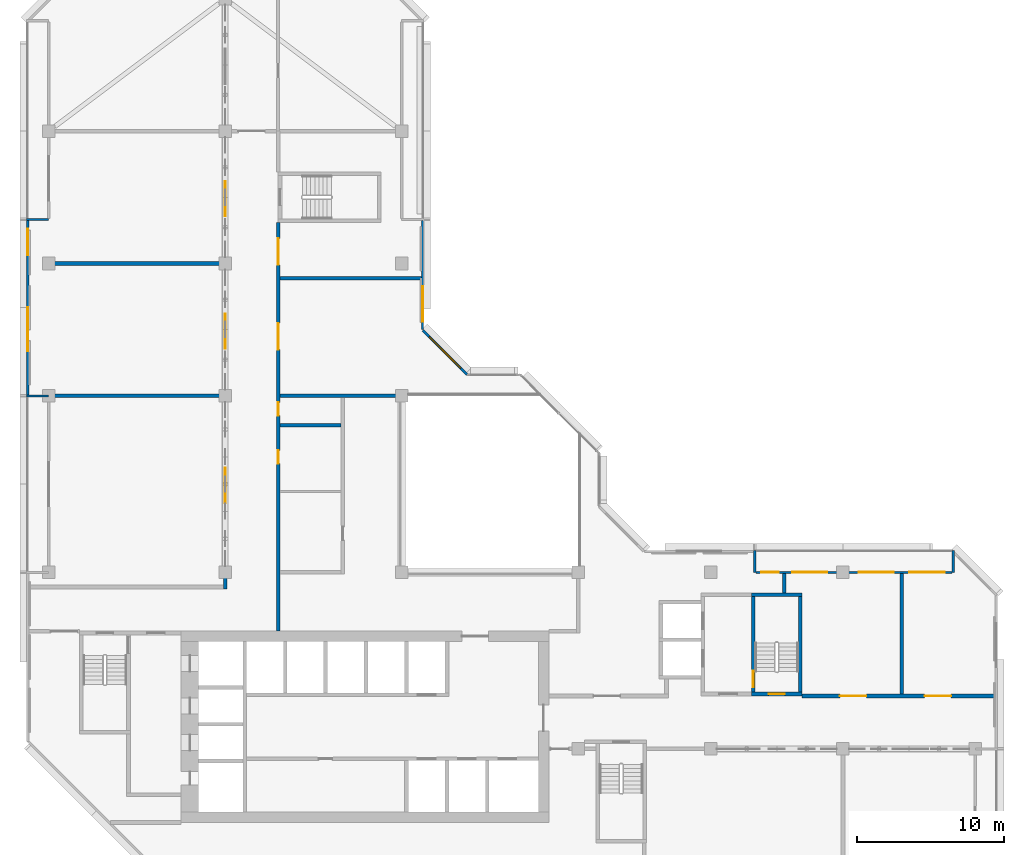
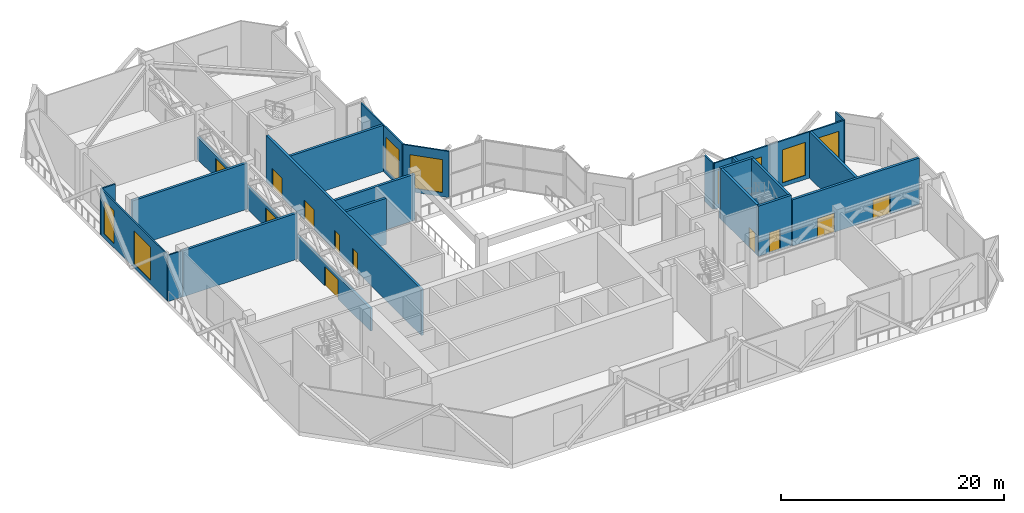
# One storey, part 8 of 14: 22 walls, 11 doors, 8 windows, 19 openings.
"""IFC4 building model written with IfcOpenShell, lengths in metres."""

from ifc_helpers import new_model, si_unit, direction, frame, frame_2d, origin, place, context, subcontext, project, spatial, rectangle, extrude, material, layer, layer_set, type_object, element, fill, save


model = new_model("IFC4")

# Units and contexts
model_context = context("Model", 3, precision=1e-05, world=origin(), true_north=direction((0.0, 1.0)))
body_context = subcontext(model_context, "Body", "Model", "MODEL_VIEW")
ifc_project = project(units=[si_unit("LENGTHUNIT", "METRE"), si_unit("AREAUNIT", "SQUARE_METRE"), si_unit("VOLUMEUNIT", "CUBIC_METRE"), si_unit("PLANEANGLEUNIT", "RADIAN"), si_unit("MASSUNIT", "GRAM", prefix="KILO")], contexts=[model_context])

# Site, building, storey
site_placement = place(None, origin())
site = spatial("IfcSite", under=ifc_project, at=site_placement, CompositionType="ELEMENT")
building_placement = place(site_placement, origin())
building = spatial("IfcBuilding", under=site, at=building_placement, Name="Chenar Terraces", CompositionType="ELEMENT")
storey_placement = place(building_placement, frame((0.0, 0.0, 256.64990234375)))
storey = spatial("IfcBuildingStorey", under=building, at=storey_placement, Name="L61", CompositionType="ELEMENT", Elevation=256.64990234375)

# Wall, opening, door
ifc_material_1 = material(Name="Concrete C60/75", Category="concrete")
ifc_layer_1 = layer(ifc_material_1, 0.25)
ifc_layer_set_1 = layer_set([ifc_layer_1], Name="Concrete C60/75")
wall_type_1 = type_object("IfcWallType", Name="Core wall 250 Concrete C60/75", PredefinedType="SHEAR", material=ifc_layer_set_1)
wall_1_placement = place(storey_placement, frame((47.77490234375, 15.72509765625, 0.0), z_axis=(0.0, 0.0, 1.0), x_axis=(1.0, 0.0, 0.0)))
wall_1 = element("IfcWall", 1, at=wall_1_placement, inside=storey, type_object=wall_type_1, Name="Core wall ST3_S L61", PredefinedType="SHEAR", context=body_context, shape_type="SweptSolid", body=[
    extrude(rectangle(XDim=3.4501953125, YDim=0.25, at=frame_2d((1.72509765625, 0.0))), origin(), (0.0, 0.0, 1.0), 5.5),
])
opening_1_placement = place(wall_1_placement, frame((1.175048828125, 0.0, 0.0)))
opening_1 = element("IfcOpeningElement", 2, at=opening_1_placement, cuts=wall_1, Name="Opening DL61-C8", PredefinedType="OPENING", context=body_context, shape_type="SweptSolid", body=[
    extrude(rectangle(XDim=1.10009765625, YDim=2.199951171875, at=frame_2d((0.550048828125, 1.10009765625))), frame((0.0, 0.135009765625, 0.0), z_axis=(0.0, -1.0, 0.0), x_axis=(1.0, 0.0, 0.0)), (0.0, 0.0, 1.0), 0.27001953125),
])
ifc_material_2 = material(Name="Steel-framed fire-resisting door leaf", Category="steel")
door_type_1 = type_object("IfcDoorType", Name="Stair fire door FD60 1100 x 2200", OperationType="SINGLE_SWING_LEFT", PredefinedType="DOOR", material=ifc_material_2)
door_1_placement = place(opening_1_placement, frame((1.10009765625, 0.0, 0.0), z_axis=(0.0, 0.0, 1.0), x_axis=(-1.0, 0.0, 0.0)))
door_1 = element("IfcDoor", 3, at=door_1_placement, inside=storey, type_object=door_type_1, Name="Stair door DL61-C8", OperationType="SINGLE_SWING_LEFT", OverallHeight=2.199951171875, OverallWidth=1.10009765625, PredefinedType="DOOR", context=body_context, shape_type="SweptSolid", body=[
    extrude(rectangle(XDim=1.10009765625, YDim=2.199951171875, at=frame_2d((0.550048828125, 1.10009765625))), frame((0.0, 0.02490234375, 0.0), z_axis=(0.0, -1.0, 0.0), x_axis=(1.0, 0.0, 0.0)), (0.0, 0.0, 1.0), 0.050048828125),
])
fill(opening_1, door_1)

# Wall
wall_2_placement = place(storey_placement, frame((47.77490234375, 22.47509765625, 0.0), z_axis=(0.0, 0.0, 1.0), x_axis=(1.0, 0.0, 0.0)))
element("IfcWall", 4, at=wall_2_placement, inside=storey, type_object=wall_type_1, Name="Core wall ST3_N L61", PredefinedType="SHEAR", context=body_context, shape_type="SweptSolid", body=[
    extrude(rectangle(XDim=3.4501953125, YDim=0.25, at=frame_2d((1.72509765625, 0.0))), origin(), (0.0, 0.0, 1.0), 5.5),
])

# Wall, opening, door
wall_3_placement = place(storey_placement, frame((47.89990234375, 15.85009765625, 0.0), z_axis=(0.0, 0.0, 1.0), x_axis=(0.0, 1.0, 0.0)))
wall_3 = element("IfcWall", 5, at=wall_3_placement, inside=storey, type_object=wall_type_1, Name="Core wall ST3_W L61", PredefinedType="SHEAR", context=body_context, shape_type="SweptSolid", body=[
    extrude(rectangle(XDim=6.5, YDim=0.25, at=frame_2d((3.25, 0.0))), origin(), (0.0, 0.0, 1.0), 5.5),
])
opening_2_placement = place(wall_3_placement, frame((0.35009765625, 0.0, 0.0)))
opening_2 = element("IfcOpeningElement", 6, at=opening_2_placement, cuts=wall_3, Name="Opening DL61-C11", PredefinedType="OPENING", context=body_context, shape_type="SweptSolid", body=[
    extrude(rectangle(XDim=1.10009765625, YDim=2.199951171875, at=frame_2d((0.550048828125, 1.10009765625))), frame((0.0, 0.135009765625, 0.0), z_axis=(0.0, -1.0, 0.0), x_axis=(1.0, 0.0, 0.0)), (0.0, 0.0, 1.0), 0.27001953125),
])
door_2_placement = place(opening_2_placement, frame((1.10009765625, 0.0, 0.0), z_axis=(0.0, 0.0, 1.0), x_axis=(-1.0, 0.0, 0.0)))
door_2 = element("IfcDoor", 7, at=door_2_placement, inside=storey, type_object=door_type_1, Name="Stair door DL61-C11", OperationType="SINGLE_SWING_RIGHT", OverallHeight=2.199951171875, OverallWidth=1.10009765625, PredefinedType="DOOR", context=body_context, shape_type="SweptSolid", body=[
    extrude(rectangle(XDim=1.10009765625, YDim=2.199951171875, at=frame_2d((0.550048828125, 1.10009765625))), frame((0.0, 0.02490234375, 0.0), z_axis=(0.0, -1.0, 0.0), x_axis=(1.0, 0.0, 0.0)), (0.0, 0.0, 1.0), 0.050048828125),
])
fill(opening_2, door_2)

# Wall
wall_4_placement = place(storey_placement, frame((51.10009765625, 15.85009765625, 0.0), z_axis=(0.0, 0.0, 1.0), x_axis=(0.0, 1.0, 0.0)))
element("IfcWall", 8, at=wall_4_placement, inside=storey, type_object=wall_type_1, Name="Core wall ST3_E L61", PredefinedType="SHEAR", context=body_context, shape_type="SweptSolid", body=[
    extrude(rectangle(XDim=6.5, YDim=0.25, at=frame_2d((3.25, 0.0))), origin(), (0.0, 0.0, 1.0), 5.5),
])

# Wall, opening, window
ifc_material_3 = material(Name="Aluminium framed glazing", Category="aluminium")
ifc_layer_2 = layer(ifc_material_3, 0.14990234375)
ifc_layer_set_2 = layer_set([ifc_layer_2], Name="Aluminium framed glazing")
wall_type_2 = type_object("IfcWallType", Name="Glazed flush facade wall 150", PredefinedType="SOLIDWALL", material=ifc_layer_set_2)
wall_5_placement = place(storey_placement, frame((25.425048828125, 40.5, 0.0), z_axis=(0.0, 0.0, 1.0), x_axis=(0.0, 1.0, 0.0)))
wall_5 = element("IfcWall", 9, at=wall_5_placement, inside=storey, type_object=wall_type_2, Name="Glazed flush facade wall", PredefinedType="SOLIDWALL", context=body_context, shape_type="SweptSolid", body=[
    extrude(rectangle(XDim=7.425048828125, YDim=0.14990234375, at=frame_2d((3.71240234375, 0.0))), origin(), (0.0, 0.0, 1.0), 5.050048828125),
])
opening_3_placement = place(wall_5_placement, frame((0.550048828125, 0.0, 0.449951171875)))
opening_3 = element("IfcOpeningElement", 10, at=opening_3_placement, cuts=wall_5, Name="Opening W240x360", PredefinedType="OPENING", context=body_context, shape_type="SweptSolid", body=[
    extrude(rectangle(XDim=2.39990234375, YDim=3.60009765625, at=frame_2d((1.199951171875, 1.800048828125))), frame((0.0, 0.0849609375, 0.0), z_axis=(0.0, -1.0, 0.0), x_axis=(1.0, 0.0, 0.0)), (0.0, 0.0, 1.0), 0.169921875),
])
ifc_material_4 = material(Name="Low emissivity double glazing, aluminium frame", Category="aluminium")
window_type_1 = type_object("IfcWindowType", Name="Fixed light 2400 x 3600", PartitioningType="SINGLE_PANEL", PredefinedType="WINDOW", material=ifc_material_4)
window_1_placement = place(opening_3_placement, origin())
window_1 = element("IfcWindow", 11, at=window_1_placement, inside=storey, type_object=window_type_1, Name="Window", OverallHeight=3.60009765625, OverallWidth=2.39990234375, PartitioningType="SINGLE_PANEL", PredefinedType="WINDOW", context=body_context, shape_type="SweptSolid", body=[
    extrude(rectangle(XDim=2.39990234375, YDim=3.60009765625, at=frame_2d((1.199951171875, 1.800048828125))), frame((0.0, 0.030029296875, 0.0), z_axis=(0.0, -1.0, 0.0), x_axis=(1.0, 0.0, 0.0)), (0.0, 0.0, 1.0), 0.06005859375),
])
fill(opening_3, window_1)

# Wall, openings, windows
wall_6_placement = place(storey_placement, frame((-1.425048828125, 47.925048828125, 0.0), z_axis=(0.0, 0.0, 1.0), x_axis=(0.0, -1.0, 0.0)))
wall_6 = element("IfcWall", 12, at=wall_6_placement, inside=storey, type_object=wall_type_2, Name="Glazed flush facade wall", PredefinedType="SOLIDWALL", context=body_context, shape_type="SweptSolid", body=[
    extrude(rectangle(XDim=11.85009765625, YDim=0.14990234375, at=frame_2d((5.925048828125, 0.0))), origin(), (0.0, 0.0, 1.0), 5.050048828125),
])
opening_4_placement = place(wall_6_placement, frame((0.5625, 0.0, 0.449951171875)))
opening_4 = element("IfcOpeningElement", 13, at=opening_4_placement, cuts=wall_6, Name="Opening W180x360", PredefinedType="OPENING", context=body_context, shape_type="SweptSolid", body=[
    extrude(rectangle(XDim=1.800048828125, YDim=3.60009765625, at=frame_2d((0.89990234375, 1.800048828125))), frame((0.0, 0.0849609375, 0.0), z_axis=(0.0, -1.0, 0.0), x_axis=(1.0, 0.0, 0.0)), (0.0, 0.0, 1.0), 0.169921875),
])
opening_5_placement = place(wall_6_placement, frame((5.887451171875, 0.0, 0.449951171875)))
opening_5 = element("IfcOpeningElement", 14, at=opening_5_placement, cuts=wall_6, Name="Opening W300x360", PredefinedType="OPENING", context=body_context, shape_type="SweptSolid", body=[
    extrude(rectangle(XDim=3.0, YDim=3.60009765625, at=frame_2d((1.5, 1.800048828125))), frame((0.0, 0.0849609375, 0.0), z_axis=(0.0, -1.0, 0.0), x_axis=(1.0, 0.0, 0.0)), (0.0, 0.0, 1.0), 0.169921875),
])
ifc_material_5 = material(Name="Low emissivity double glazing, aluminium frame", Category="aluminium")
window_type_2 = type_object("IfcWindowType", Name="Fixed light 1800 x 3600", PartitioningType="SINGLE_PANEL", PredefinedType="WINDOW", material=ifc_material_5)
window_2_placement = place(opening_4_placement, origin())
window_2 = element("IfcWindow", 15, at=window_2_placement, inside=storey, type_object=window_type_2, Name="Window", OverallHeight=3.60009765625, OverallWidth=1.800048828125, PartitioningType="SINGLE_PANEL", PredefinedType="WINDOW", context=body_context, shape_type="SweptSolid", body=[
    extrude(rectangle(XDim=1.800048828125, YDim=3.60009765625, at=frame_2d((0.89990234375, 1.800048828125))), frame((0.0, 0.030029296875, 0.0), z_axis=(0.0, -1.0, 0.0), x_axis=(1.0, 0.0, 0.0)), (0.0, 0.0, 1.0), 0.06005859375),
])
fill(opening_4, window_2)
ifc_material_6 = material(Name="Low emissivity double glazing, aluminium frame", Category="aluminium")
window_type_3 = type_object("IfcWindowType", Name="Fixed light 3000 x 3600", PartitioningType="SINGLE_PANEL", PredefinedType="WINDOW", material=ifc_material_6)
window_3_placement = place(opening_5_placement, origin())
window_3 = element("IfcWindow", 16, at=window_3_placement, inside=storey, type_object=window_type_3, Name="Window", OverallHeight=3.60009765625, OverallWidth=3.0, PartitioningType="SINGLE_PANEL", PredefinedType="WINDOW", context=body_context, shape_type="SweptSolid", body=[
    extrude(rectangle(XDim=3.0, YDim=3.60009765625, at=frame_2d((1.5, 1.800048828125))), frame((0.0, 0.030029296875, 0.0), z_axis=(0.0, -1.0, 0.0), x_axis=(1.0, 0.0, 0.0)), (0.0, 0.0, 1.0), 0.06005859375),
])
fill(opening_5, window_3)

ifc_material_7 = material(Name="Aluminium framed glazing", Category="aluminium")
ifc_layer_3 = layer(ifc_material_7, 0.14990234375)
ifc_layer_set_3 = layer_set([ifc_layer_3], Name="Aluminium framed glazing")
wall_type_3 = type_object("IfcWallType", Name="Glazed loggia back wall 150", PredefinedType="SOLIDWALL", material=ifc_layer_set_3)
wall_7_placement = place(storey_placement, frame((61.425048828125, 24.0, 0.0), z_axis=(0.0, 0.0, 1.0), x_axis=(-1.0, 0.0, 0.0)))
wall_7 = element("IfcWall", 17, at=wall_7_placement, inside=storey, type_object=wall_type_3, Name="Glazed loggia back wall", PredefinedType="SOLIDWALL", context=body_context, shape_type="SweptSolid", body=[
    extrude(rectangle(XDim=13.35009765625, YDim=0.14990234375, at=frame_2d((6.675048828125, 0.0))), origin(), (0.0, 0.0, 1.0), 5.050048828125),
])
opening_6_placement = place(wall_7_placement, frame((0.512451171875, 0.0, 0.449951171875)))
opening_6 = element("IfcOpeningElement", 18, at=opening_6_placement, cuts=wall_7, Name="Opening W240x360", PredefinedType="OPENING", context=body_context, shape_type="SweptSolid", body=[
    extrude(rectangle(XDim=2.39990234375, YDim=3.60009765625, at=frame_2d((1.199951171875, 1.800048828125))), frame((0.0, 0.0849609375, 0.0), z_axis=(0.0, -1.0, 0.0), x_axis=(1.0, 0.0, 0.0)), (0.0, 0.0, 1.0), 0.169921875),
])
opening_7_placement = place(wall_7_placement, frame((3.96240234375, 0.0, 0.449951171875)))
opening_7 = element("IfcOpeningElement", 19, at=opening_7_placement, cuts=wall_7, Name="Opening W240x360", PredefinedType="OPENING", context=body_context, shape_type="SweptSolid", body=[
    extrude(rectangle(XDim=2.39990234375, YDim=3.60009765625, at=frame_2d((1.199951171875, 1.800048828125))), frame((0.0, 0.0849609375, 0.0), z_axis=(0.0, -1.0, 0.0), x_axis=(1.0, 0.0, 0.0)), (0.0, 0.0, 1.0), 0.169921875),
])
opening_8_placement = place(wall_7_placement, frame((8.487548828125, 0.0, 0.449951171875)))
opening_8 = element("IfcOpeningElement", 20, at=opening_8_placement, cuts=wall_7, Name="Opening W240x360", PredefinedType="OPENING", context=body_context, shape_type="SweptSolid", body=[
    extrude(rectangle(XDim=2.39990234375, YDim=3.60009765625, at=frame_2d((1.199951171875, 1.800048828125))), frame((0.0, 0.0849609375, 0.0), z_axis=(0.0, -1.0, 0.0), x_axis=(1.0, 0.0, 0.0)), (0.0, 0.0, 1.0), 0.169921875),
])
opening_9_placement = place(wall_7_placement, frame((11.78759765625, 0.0, 0.449951171875)))
opening_9 = element("IfcOpeningElement", 21, at=opening_9_placement, cuts=wall_7, Name="Opening W120x360", PredefinedType="OPENING", context=body_context, shape_type="SweptSolid", body=[
    extrude(rectangle(XDim=1.199951171875, YDim=3.60009765625, at=frame_2d((0.60009765625, 1.800048828125))), frame((0.0, 0.0849609375, 0.0), z_axis=(0.0, -1.0, 0.0), x_axis=(1.0, 0.0, 0.0)), (0.0, 0.0, 1.0), 0.169921875),
])
ifc_material_8 = material(Name="Low emissivity double glazing, aluminium frame", Category="aluminium")
window_type_4 = type_object("IfcWindowType", Name="Fixed light 1200 x 3600", PartitioningType="SINGLE_PANEL", PredefinedType="WINDOW", material=ifc_material_8)
window_4_placement = place(opening_9_placement, origin())
window_4 = element("IfcWindow", 22, at=window_4_placement, inside=storey, type_object=window_type_4, Name="Window", OverallHeight=3.60009765625, OverallWidth=1.199951171875, PartitioningType="SINGLE_PANEL", PredefinedType="WINDOW", context=body_context, shape_type="SweptSolid", body=[
    extrude(rectangle(XDim=1.199951171875, YDim=3.60009765625, at=frame_2d((0.60009765625, 1.800048828125))), frame((0.0, 0.030029296875, 0.0), z_axis=(0.0, -1.0, 0.0), x_axis=(1.0, 0.0, 0.0)), (0.0, 0.0, 1.0), 0.06005859375),
])
fill(opening_9, window_4)
window_5_placement = place(opening_6_placement, origin())
window_5 = element("IfcWindow", 23, at=window_5_placement, inside=storey, type_object=window_type_1, Name="Window", OverallHeight=3.60009765625, OverallWidth=2.39990234375, PartitioningType="SINGLE_PANEL", PredefinedType="WINDOW", context=body_context, shape_type="SweptSolid", body=[
    extrude(rectangle(XDim=2.39990234375, YDim=3.60009765625, at=frame_2d((1.199951171875, 1.800048828125))), frame((0.0, 0.030029296875, 0.0), z_axis=(0.0, -1.0, 0.0), x_axis=(1.0, 0.0, 0.0)), (0.0, 0.0, 1.0), 0.06005859375),
])
fill(opening_6, window_5)
window_6_placement = place(opening_7_placement, origin())
window_6 = element("IfcWindow", 24, at=window_6_placement, inside=storey, type_object=window_type_1, Name="Window", OverallHeight=3.60009765625, OverallWidth=2.39990234375, PartitioningType="SINGLE_PANEL", PredefinedType="WINDOW", context=body_context, shape_type="SweptSolid", body=[
    extrude(rectangle(XDim=2.39990234375, YDim=3.60009765625, at=frame_2d((1.199951171875, 1.800048828125))), frame((0.0, 0.030029296875, 0.0), z_axis=(0.0, -1.0, 0.0), x_axis=(1.0, 0.0, 0.0)), (0.0, 0.0, 1.0), 0.06005859375),
])
fill(opening_7, window_6)
window_7_placement = place(opening_8_placement, origin())
window_7 = element("IfcWindow", 25, at=window_7_placement, inside=storey, type_object=window_type_1, Name="Window", OverallHeight=3.60009765625, OverallWidth=2.39990234375, PartitioningType="SINGLE_PANEL", PredefinedType="WINDOW", context=body_context, shape_type="SweptSolid", body=[
    extrude(rectangle(XDim=2.39990234375, YDim=3.60009765625, at=frame_2d((1.199951171875, 1.800048828125))), frame((0.0, 0.030029296875, 0.0), z_axis=(0.0, -1.0, 0.0), x_axis=(1.0, 0.0, 0.0)), (0.0, 0.0, 1.0), 0.06005859375),
])
fill(opening_8, window_7)

# Walls
ifc_material_9 = material(Name="Terracotta cladding on insulated backing", Category="masonry")
ifc_layer_4 = layer(ifc_material_9, 0.14990234375)
ifc_layer_set_4 = layer_set([ifc_layer_4], Name="Terracotta cladding on insulated backing")
wall_type_4 = type_object("IfcWallType", Name="Loggia return wall 150", PredefinedType="SOLIDWALL", material=ifc_layer_set_4)
for number, where, z_axis, x_axis, name in (
    (26, (61.5, 25.5, 0.0), (0.0, 0.0, 1.0), (0.0, -1.0, 0.0), "Loggia return wall"),
    (27, (48.0, 25.5, 0.0), (0.0, 0.0, 1.0), (0.0, -1.0, 0.0), "Loggia return wall"),
    (28, (-1.5, 48.0, 0.0), (0.0, 0.0, 1.0), (1.0, 0.0, 0.0), "Loggia return wall"),
    (29, (-1.5, 36.0, 0.0), (0.0, 0.0, 1.0), (1.0, 0.0, 0.0), "Loggia return wall"),
):
    element("IfcWall", number, at=place(storey_placement, frame(where, z_axis=z_axis, x_axis=x_axis)), inside=storey, type_object=wall_type_4, Name=name, PredefinedType="SOLIDWALL", context=body_context, shape_type="SweptSolid", body=[
        extrude(rectangle(XDim=1.5, YDim=0.14990234375, at=frame_2d((0.75, 0.0))), origin(), (0.0, 0.0, 1.0), 5.050048828125),
    ])
ifc_material_10 = material(Name="Fire-board and steel stud wall with mineral wool", Category="steel")
ifc_layer_5 = layer(ifc_material_10, 0.25)
ifc_layer_set_5 = layer_set([ifc_layer_5], Name="Fire-board and steel stud wall with mineral wool")
wall_type_5 = type_object("IfcWallType", Name="Refuge compartment wall 250", PredefinedType="PARTITIONING", material=ifc_layer_set_5)
wall_8_placement = place(storey_placement, frame((0.0, 36.0, 0.0), z_axis=(0.0, 0.0, 1.0), x_axis=(1.0, 0.0, 0.0)))
element("IfcWall", 30, at=wall_8_placement, inside=storey, type_object=wall_type_5, Name="Partition L61-003", PredefinedType="PARTITIONING", context=body_context, shape_type="SweptSolid", body=[
    extrude(rectangle(XDim=11.875, YDim=0.25, at=frame_2d((5.9375, 0.0))), origin(), (0.0, 0.0, 1.0), 5.050048828125),
])
wall_9_placement = place(storey_placement, frame((0.0, 45.0, 0.0), z_axis=(0.0, 0.0, 1.0), x_axis=(1.0, 0.0, 0.0)))
element("IfcWall", 31, at=wall_9_placement, inside=storey, type_object=wall_type_5, Name="Partition L61-004", PredefinedType="PARTITIONING", context=body_context, shape_type="SweptSolid", body=[
    extrude(rectangle(XDim=11.875, YDim=0.25, at=frame_2d((5.9375, 0.0))), origin(), (0.0, 0.0, 1.0), 5.050048828125),
])

# Wall, openings, doors
wall_10_placement = place(storey_placement, frame((12.0, 22.875, 0.0), z_axis=(0.0, 0.0, 1.0), x_axis=(0.0, 1.0, 0.0)))
wall_10 = element("IfcWall", 32, at=wall_10_placement, inside=storey, type_object=wall_type_5, Name="Partition L61-007", PredefinedType="PARTITIONING", context=body_context, shape_type="SweptSolid", body=[
    extrude(rectangle(XDim=31.0, YDim=0.25, at=frame_2d((15.5, 0.0))), origin(), (0.0, 0.0, 1.0), 2.4501953125),
])
opening_10_placement = place(wall_10_placement, frame((5.824951171875, 0.0, 0.0)))
opening_10 = element("IfcOpeningElement", 33, at=opening_10_placement, cuts=wall_10, Name="Opening DL61-9", PredefinedType="OPENING", context=body_context, shape_type="SweptSolid", body=[
    extrude(rectangle(XDim=2.39990234375, YDim=2.10009765625, at=frame_2d((1.199951171875, 1.050048828125))), frame((0.0, 0.135009765625, 0.0), z_axis=(0.0, -1.0, 0.0), x_axis=(1.0, 0.0, 0.0)), (0.0, 0.0, 1.0), 0.27001953125),
])
opening_11_placement = place(wall_10_placement, frame((16.324951171875, 0.0, 0.0)))
opening_11 = element("IfcOpeningElement", 34, at=opening_11_placement, cuts=wall_10, Name="Opening DL61-10", PredefinedType="OPENING", context=body_context, shape_type="SweptSolid", body=[
    extrude(rectangle(XDim=2.39990234375, YDim=2.10009765625, at=frame_2d((1.199951171875, 1.050048828125))), frame((0.0, 0.135009765625, 0.0), z_axis=(0.0, -1.0, 0.0), x_axis=(1.0, 0.0, 0.0)), (0.0, 0.0, 1.0), 0.27001953125),
])
opening_12_placement = place(wall_10_placement, frame((25.324951171875, 0.0, 0.0)))
opening_12 = element("IfcOpeningElement", 35, at=opening_12_placement, cuts=wall_10, Name="Opening DL61-11", PredefinedType="OPENING", context=body_context, shape_type="SweptSolid", body=[
    extrude(rectangle(XDim=2.39990234375, YDim=2.10009765625, at=frame_2d((1.199951171875, 1.050048828125))), frame((0.0, 0.135009765625, 0.0), z_axis=(0.0, -1.0, 0.0), x_axis=(1.0, 0.0, 0.0)), (0.0, 0.0, 1.0), 0.27001953125),
])
ifc_material_11 = material(Name="Steel-framed fire-resisting door leaf", Category="steel")
door_type_2 = type_object("IfcDoorType", Name="Fire double door FD120 2400 x 2100", OperationType="DOUBLE_DOOR_SINGLE_SWING", PredefinedType="DOOR", material=ifc_material_11)
door_3_placement = place(opening_10_placement, origin())
door_3 = element("IfcDoor", 36, at=door_3_placement, inside=storey, type_object=door_type_2, Name="Door DL61-9", OperationType="DOUBLE_DOOR_SINGLE_SWING", OverallHeight=2.10009765625, OverallWidth=2.39990234375, PredefinedType="DOOR", context=body_context, shape_type="SweptSolid", body=[
    extrude(rectangle(XDim=2.39990234375, YDim=2.10009765625, at=frame_2d((1.199951171875, 1.050048828125))), frame((0.0, 0.02490234375, 0.0), z_axis=(0.0, -1.0, 0.0), x_axis=(1.0, 0.0, 0.0)), (0.0, 0.0, 1.0), 0.050048828125),
])
fill(opening_10, door_3)
door_4_placement = place(opening_11_placement, origin())
door_4 = element("IfcDoor", 37, at=door_4_placement, inside=storey, type_object=door_type_2, Name="Door DL61-10", OperationType="DOUBLE_DOOR_SINGLE_SWING", OverallHeight=2.10009765625, OverallWidth=2.39990234375, PredefinedType="DOOR", context=body_context, shape_type="SweptSolid", body=[
    extrude(rectangle(XDim=2.39990234375, YDim=2.10009765625, at=frame_2d((1.199951171875, 1.050048828125))), frame((0.0, 0.02490234375, 0.0), z_axis=(0.0, -1.0, 0.0), x_axis=(1.0, 0.0, 0.0)), (0.0, 0.0, 1.0), 0.050048828125),
])
fill(opening_11, door_4)
door_5_placement = place(opening_12_placement, origin())
door_5 = element("IfcDoor", 38, at=door_5_placement, inside=storey, type_object=door_type_2, Name="Door DL61-11", OperationType="DOUBLE_DOOR_SINGLE_SWING", OverallHeight=2.10009765625, OverallWidth=2.39990234375, PredefinedType="DOOR", context=body_context, shape_type="SweptSolid", body=[
    extrude(rectangle(XDim=2.39990234375, YDim=2.10009765625, at=frame_2d((1.199951171875, 1.050048828125))), frame((0.0, 0.02490234375, 0.0), z_axis=(0.0, -1.0, 0.0), x_axis=(1.0, 0.0, 0.0)), (0.0, 0.0, 1.0), 0.050048828125),
])
fill(opening_12, door_5)

wall_11_placement = place(storey_placement, frame((15.60009765625, 20.0, 0.0), z_axis=(0.0, 0.0, 1.0), x_axis=(0.0, 1.0, 0.0)))
wall_11 = element("IfcWall", 39, at=wall_11_placement, inside=storey, type_object=wall_type_5, Name="Partition L61-009", PredefinedType="PARTITIONING", context=body_context, shape_type="SweptSolid", body=[
    extrude(rectangle(XDim=27.77490234375, YDim=0.25, at=frame_2d((13.887451171875, 0.0))), origin(), (0.0, 0.0, 1.0), 5.050048828125),
])
opening_13_placement = place(wall_11_placement, frame((19.14990234375, 0.0, 0.0)))
opening_13 = element("IfcOpeningElement", 40, at=opening_13_placement, cuts=wall_11, Name="Opening DL61-6", PredefinedType="OPENING", context=body_context, shape_type="SweptSolid", body=[
    extrude(rectangle(XDim=1.800048828125, YDim=2.10009765625, at=frame_2d((0.89990234375, 1.050048828125))), frame((0.0, 0.135009765625, 0.0), z_axis=(0.0, -1.0, 0.0), x_axis=(1.0, 0.0, 0.0)), (0.0, 0.0, 1.0), 0.27001953125),
])
opening_14_placement = place(wall_11_placement, frame((24.89990234375, 0.0, 0.0)))
opening_14 = element("IfcOpeningElement", 41, at=opening_14_placement, cuts=wall_11, Name="Opening DL61-7", PredefinedType="OPENING", context=body_context, shape_type="SweptSolid", body=[
    extrude(rectangle(XDim=1.800048828125, YDim=2.10009765625, at=frame_2d((0.89990234375, 1.050048828125))), frame((0.0, 0.135009765625, 0.0), z_axis=(0.0, -1.0, 0.0), x_axis=(1.0, 0.0, 0.0)), (0.0, 0.0, 1.0), 0.27001953125),
])
opening_15_placement = place(wall_11_placement, frame((14.64990234375, 0.0, 0.0)))
opening_15 = element("IfcOpeningElement", 42, at=opening_15_placement, cuts=wall_11, Name="Opening DL61-13", PredefinedType="OPENING", context=body_context, shape_type="SweptSolid", body=[
    extrude(rectangle(XDim=0.89990234375, YDim=2.10009765625, at=frame_2d((0.449951171875, 1.050048828125))), frame((0.0, 0.135009765625, 0.0), z_axis=(0.0, -1.0, 0.0), x_axis=(1.0, 0.0, 0.0)), (0.0, 0.0, 1.0), 0.27001953125),
])
opening_16_placement = place(wall_11_placement, frame((11.39990234375, 0.0, 0.0)))
opening_16 = element("IfcOpeningElement", 43, at=opening_16_placement, cuts=wall_11, Name="Opening DL61-17", PredefinedType="OPENING", context=body_context, shape_type="SweptSolid", body=[
    extrude(rectangle(XDim=0.89990234375, YDim=2.10009765625, at=frame_2d((0.449951171875, 1.050048828125))), frame((0.0, 0.135009765625, 0.0), z_axis=(0.0, -1.0, 0.0), x_axis=(1.0, 0.0, 0.0)), (0.0, 0.0, 1.0), 0.27001953125),
])
ifc_material_12 = material(Name="Steel-framed fire-resisting door leaf", Category="steel")
door_type_3 = type_object("IfcDoorType", Name="Fire door FD120 900 x 2100", OperationType="SINGLE_SWING_LEFT", PredefinedType="DOOR", material=ifc_material_12)
door_6_placement = place(opening_15_placement, frame((0.89990234375, 0.0, 0.0), z_axis=(0.0, 0.0, 1.0), x_axis=(-1.0, 0.0, 0.0)))
door_6 = element("IfcDoor", 44, at=door_6_placement, inside=storey, type_object=door_type_3, Name="Door DL61-13", OperationType="SINGLE_SWING_LEFT", OverallHeight=2.10009765625, OverallWidth=0.89990234375, PredefinedType="DOOR", context=body_context, shape_type="SweptSolid", body=[
    extrude(rectangle(XDim=0.89990234375, YDim=2.10009765625, at=frame_2d((0.449951171875, 1.050048828125))), frame((0.0, 0.02490234375, 0.0), z_axis=(0.0, -1.0, 0.0), x_axis=(1.0, 0.0, 0.0)), (0.0, 0.0, 1.0), 0.050048828125),
])
fill(opening_15, door_6)
door_7_placement = place(opening_16_placement, frame((0.89990234375, 0.0, 0.0), z_axis=(0.0, 0.0, 1.0), x_axis=(-1.0, 0.0, 0.0)))
door_7 = element("IfcDoor", 45, at=door_7_placement, inside=storey, type_object=door_type_3, Name="Door DL61-17", OperationType="SINGLE_SWING_LEFT", OverallHeight=2.10009765625, OverallWidth=0.89990234375, PredefinedType="DOOR", context=body_context, shape_type="SweptSolid", body=[
    extrude(rectangle(XDim=0.89990234375, YDim=2.10009765625, at=frame_2d((0.449951171875, 1.050048828125))), frame((0.0, 0.02490234375, 0.0), z_axis=(0.0, -1.0, 0.0), x_axis=(1.0, 0.0, 0.0)), (0.0, 0.0, 1.0), 0.050048828125),
])
fill(opening_16, door_7)
ifc_material_13 = material(Name="Steel-framed fire-resisting door leaf", Category="steel")
door_type_4 = type_object("IfcDoorType", Name="Fire double door FD120 1800 x 2100", OperationType="DOUBLE_DOOR_SINGLE_SWING", PredefinedType="DOOR", material=ifc_material_13)
door_8_placement = place(opening_13_placement, frame((1.800048828125, 0.0, 0.0), z_axis=(0.0, 0.0, 1.0), x_axis=(-1.0, 0.0, 0.0)))
door_8 = element("IfcDoor", 46, at=door_8_placement, inside=storey, type_object=door_type_4, Name="Door DL61-6", OperationType="DOUBLE_DOOR_SINGLE_SWING", OverallHeight=2.10009765625, OverallWidth=1.800048828125, PredefinedType="DOOR", context=body_context, shape_type="SweptSolid", body=[
    extrude(rectangle(XDim=1.800048828125, YDim=2.10009765625, at=frame_2d((0.89990234375, 1.050048828125))), frame((0.0, 0.02490234375, 0.0), z_axis=(0.0, -1.0, 0.0), x_axis=(1.0, 0.0, 0.0)), (0.0, 0.0, 1.0), 0.050048828125),
])
fill(opening_13, door_8)
door_9_placement = place(opening_14_placement, frame((1.800048828125, 0.0, 0.0), z_axis=(0.0, 0.0, 1.0), x_axis=(-1.0, 0.0, 0.0)))
door_9 = element("IfcDoor", 47, at=door_9_placement, inside=storey, type_object=door_type_4, Name="Door DL61-7", OperationType="DOUBLE_DOOR_SINGLE_SWING", OverallHeight=2.10009765625, OverallWidth=1.800048828125, PredefinedType="DOOR", context=body_context, shape_type="SweptSolid", body=[
    extrude(rectangle(XDim=1.800048828125, YDim=2.10009765625, at=frame_2d((0.89990234375, 1.050048828125))), frame((0.0, 0.02490234375, 0.0), z_axis=(0.0, -1.0, 0.0), x_axis=(1.0, 0.0, 0.0)), (0.0, 0.0, 1.0), 0.050048828125),
])
fill(opening_14, door_9)

# Walls
wall_12_placement = place(storey_placement, frame((15.72509765625, 34.0, 0.0), z_axis=(0.0, 0.0, 1.0), x_axis=(1.0, 0.0, 0.0)))
element("IfcWall", 48, at=wall_12_placement, inside=storey, type_object=wall_type_5, Name="Partition L61-015", PredefinedType="PARTITIONING", context=body_context, shape_type="SweptSolid", body=[
    extrude(rectangle(XDim=4.14990234375, YDim=0.25, at=frame_2d((2.074951171875, 0.0))), origin(), (0.0, 0.0, 1.0), 5.050048828125),
])
wall_13_placement = place(storey_placement, frame((15.72509765625, 36.0, 0.0), z_axis=(0.0, 0.0, 1.0), x_axis=(1.0, 0.0, 0.0)))
element("IfcWall", 49, at=wall_13_placement, inside=storey, type_object=wall_type_5, Name="Partition L61-016", PredefinedType="PARTITIONING", context=body_context, shape_type="SweptSolid", body=[
    extrude(rectangle(XDim=8.27490234375, YDim=0.25, at=frame_2d((4.137451171875, 0.0))), origin(), (0.0, 0.0, 1.0), 5.050048828125),
])
wall_14_placement = place(storey_placement, frame((15.72509765625, 44.0, 0.0), z_axis=(0.0, 0.0, 1.0), x_axis=(1.0, 0.0, 0.0)))
element("IfcWall", 50, at=wall_14_placement, inside=storey, type_object=wall_type_5, Name="Partition L61-017", PredefinedType="PARTITIONING", context=body_context, shape_type="SweptSolid", body=[
    extrude(rectangle(XDim=9.625, YDim=0.25, at=frame_2d((4.8125, 0.0))), origin(), (0.0, 0.0, 1.0), 5.050048828125),
])
wall_15_placement = place(storey_placement, frame((50.0, 22.60009765625, 0.0), z_axis=(0.0, 0.0, 1.0), x_axis=(0.0, 1.0, 0.0)))
element("IfcWall", 51, at=wall_15_placement, inside=storey, type_object=wall_type_5, Name="Partition L61-026", PredefinedType="PARTITIONING", context=body_context, shape_type="SweptSolid", body=[
    extrude(rectangle(XDim=1.325927734375, YDim=0.25, at=frame_2d((0.6630859375, 0.0))), origin(), (0.0, 0.0, 1.0), 5.050048828125),
])

# Wall, openings, doors
wall_16_placement = place(storey_placement, frame((51.22509765625, 15.60009765625, 0.0), z_axis=(0.0, 0.0, 1.0), x_axis=(1.0, 0.0, 0.0)))
wall_16 = element("IfcWall", 52, at=wall_16_placement, inside=storey, type_object=wall_type_5, Name="Partition L61-027", PredefinedType="PARTITIONING", context=body_context, shape_type="SweptSolid", body=[
    extrude(rectangle(XDim=13.125, YDim=0.25, at=frame_2d((6.5625, 0.0))), origin(), (0.0, 0.0, 1.0), 5.050048828125),
])
opening_17_placement = place(wall_16_placement, frame((2.574951171875, 0.0, 0.0)))
opening_17 = element("IfcOpeningElement", 53, at=opening_17_placement, cuts=wall_16, Name="Opening DL61-2", PredefinedType="OPENING", context=body_context, shape_type="SweptSolid", body=[
    extrude(rectangle(XDim=1.800048828125, YDim=2.10009765625, at=frame_2d((0.89990234375, 1.050048828125))), frame((0.0, 0.135009765625, 0.0), z_axis=(0.0, -1.0, 0.0), x_axis=(1.0, 0.0, 0.0)), (0.0, 0.0, 1.0), 0.27001953125),
])
opening_18_placement = place(wall_16_placement, frame((8.324951171875, 0.0, 0.0)))
opening_18 = element("IfcOpeningElement", 54, at=opening_18_placement, cuts=wall_16, Name="Opening DL61-3", PredefinedType="OPENING", context=body_context, shape_type="SweptSolid", body=[
    extrude(rectangle(XDim=1.800048828125, YDim=2.10009765625, at=frame_2d((0.89990234375, 1.050048828125))), frame((0.0, 0.135009765625, 0.0), z_axis=(0.0, -1.0, 0.0), x_axis=(1.0, 0.0, 0.0)), (0.0, 0.0, 1.0), 0.27001953125),
])
door_10_placement = place(opening_17_placement, origin())
door_10 = element("IfcDoor", 55, at=door_10_placement, inside=storey, type_object=door_type_4, Name="Door DL61-2", OperationType="DOUBLE_DOOR_SINGLE_SWING", OverallHeight=2.10009765625, OverallWidth=1.800048828125, PredefinedType="DOOR", context=body_context, shape_type="SweptSolid", body=[
    extrude(rectangle(XDim=1.800048828125, YDim=2.10009765625, at=frame_2d((0.89990234375, 1.050048828125))), frame((0.0, 0.02490234375, 0.0), z_axis=(0.0, -1.0, 0.0), x_axis=(1.0, 0.0, 0.0)), (0.0, 0.0, 1.0), 0.050048828125),
])
fill(opening_17, door_10)
door_11_placement = place(opening_18_placement, origin())
door_11 = element("IfcDoor", 56, at=door_11_placement, inside=storey, type_object=door_type_4, Name="Door DL61-3", OperationType="DOUBLE_DOOR_SINGLE_SWING", OverallHeight=2.10009765625, OverallWidth=1.800048828125, PredefinedType="DOOR", context=body_context, shape_type="SweptSolid", body=[
    extrude(rectangle(XDim=1.800048828125, YDim=2.10009765625, at=frame_2d((0.89990234375, 1.050048828125))), frame((0.0, 0.02490234375, 0.0), z_axis=(0.0, -1.0, 0.0), x_axis=(1.0, 0.0, 0.0)), (0.0, 0.0, 1.0), 0.050048828125),
])
fill(opening_18, door_11)

# Wall
wall_17_placement = place(storey_placement, frame((58.0, 15.72509765625, 0.0), z_axis=(0.0, 0.0, 1.0), x_axis=(0.0, 1.0, 0.0)))
element("IfcWall", 57, at=wall_17_placement, inside=storey, type_object=wall_type_5, Name="Partition L61-029", PredefinedType="PARTITIONING", context=body_context, shape_type="SweptSolid", body=[
    extrude(rectangle(XDim=8.200927734375, YDim=0.25, at=frame_2d((4.1005859375, 0.0))), origin(), (0.0, 0.0, 1.0), 5.050048828125),
])

# Wall, opening, window
ifc_material_14 = material(Name="Terracotta cladding on insulated backing", Category="masonry")
ifc_layer_6 = layer(ifc_material_14, 0.14990234375)
ifc_layer_set_6 = layer_set([ifc_layer_6], Name="Terracotta cladding on insulated backing")
wall_type_6 = type_object("IfcWallType", Name="Terracotta rainscreen wall 150", PredefinedType="SOLIDWALL", material=ifc_layer_set_6)
wall_18_placement = place(storey_placement, frame((28.447021484375, 37.447021484375, 0.0), z_axis=(0.0, 0.0, 1.0), x_axis=(-0.707106781187, 0.707106781187, 0.0)))
wall_18 = element("IfcWall", 58, at=wall_18_placement, inside=storey, type_object=wall_type_6, Name="Terracotta rainscreen wall", PredefinedType="SOLIDWALL", context=body_context, shape_type="SweptSolid", body=[
    extrude(rectangle(XDim=4.24267578125, YDim=0.14990234375, at=frame_2d((2.121337890625, 0.0))), origin(), (0.0, 0.0, 1.0), 5.050048828125),
])
opening_19_placement = place(wall_18_placement, frame((0.621337890625, 0.0, 0.449951171875)))
opening_19 = element("IfcOpeningElement", 59, at=opening_19_placement, cuts=wall_18, Name="Opening W300x360", PredefinedType="OPENING", context=body_context, shape_type="SweptSolid", body=[
    extrude(rectangle(XDim=3.0, YDim=3.60009765625, at=frame_2d((1.5, 1.800048828125))), frame((0.0, 0.0849609375, 0.0), z_axis=(0.0, -1.0, 0.0), x_axis=(1.0, 0.0, 0.0)), (0.0, 0.0, 1.0), 0.169921875),
])
window_8_placement = place(opening_19_placement, origin())
window_8 = element("IfcWindow", 60, at=window_8_placement, inside=storey, type_object=window_type_3, Name="Window", OverallHeight=3.60009765625, OverallWidth=3.0, PartitioningType="SINGLE_PANEL", PredefinedType="WINDOW", context=body_context, shape_type="SweptSolid", body=[
    extrude(rectangle(XDim=3.0, YDim=3.60009765625, at=frame_2d((1.5, 1.800048828125))), frame((0.0, 0.030029296875, 0.0), z_axis=(0.0, -1.0, 0.0), x_axis=(1.0, 0.0, 0.0)), (0.0, 0.0, 1.0), 0.06005859375),
])
fill(opening_19, window_8)

save(model, "model.ifc")
